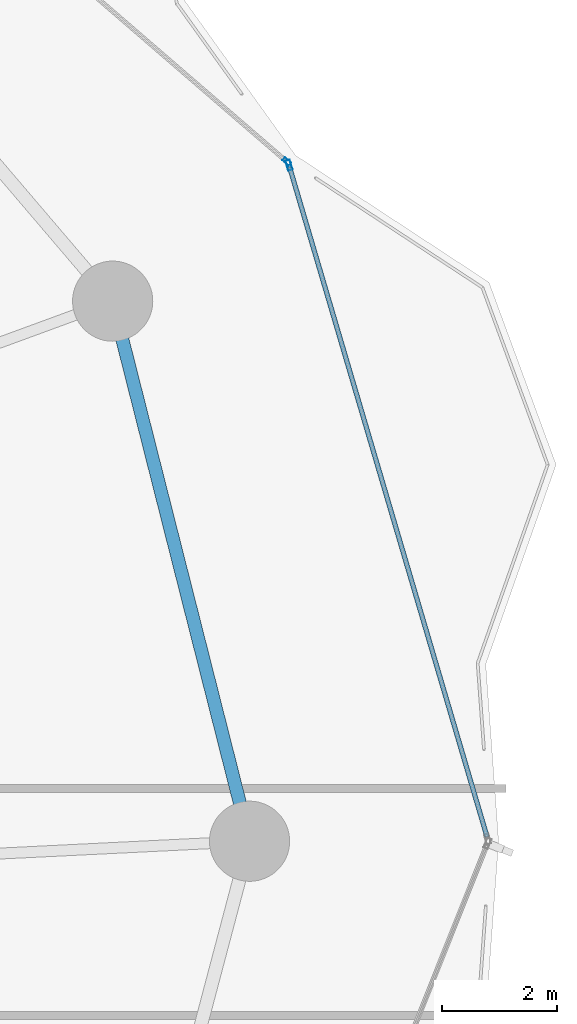
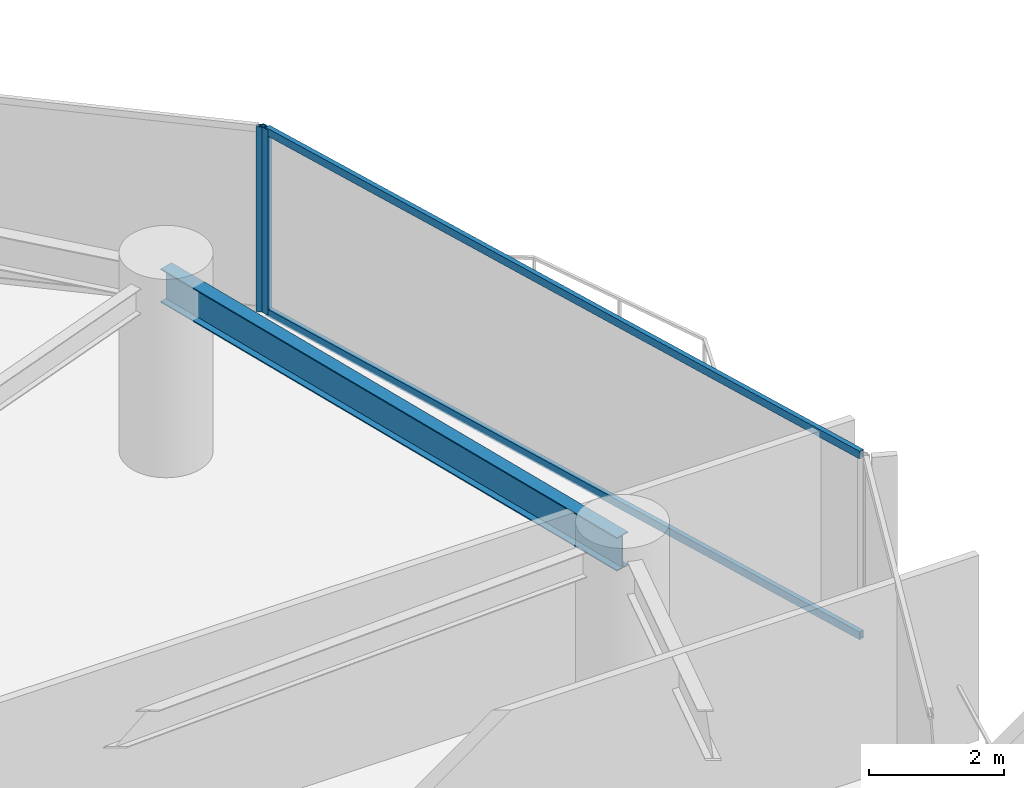
# One storey, part 23 of 32: 4 members, 1 beam, 2 elements without a shape of their own.
"""IFC4 building model written with IfcOpenShell, lengths in metres."""

import ifcopenshell
import ifcopenshell.guid

model = None  # the IFC model being written
_history = None  # IfcOwnerHistory: only IFC2X3 demands one
_inside = {}  # id of a spatial element -> (the spatial element, [elements in it])
_under = {}  # id of a project, library or spatial element -> (it, [spatial elements below it])
_declared = {}  # id of a project -> (the project, [libraries it declares])
_typed = {}  # id of a type object -> (the type object, [elements of that type])
_made_of = {}  # id of a material, layer set ... -> (it, [elements and type objects made of it])


def new_model(schema):
    """Start an empty IFC model of exactly this schema.

    Asked for "IFC4X3", IfcOpenShell would pick the latest addendum, in which some entities
    have other attributes; the version numbers below select the first issue.
    IFC2X3 requires an IfcOwnerHistory on every rooted entity: one is made here for all.
    """
    global model, _history
    if schema == "IFC4X3":
        model = ifcopenshell.file(schema_version=(4, 3, 0, 0))
    else:
        model = ifcopenshell.file(schema=schema)
    _inside.clear()
    _under.clear()
    _declared.clear()
    _typed.clear()
    _made_of.clear()
    _history = None
    if model.schema == "IFC2X3":
        org = make("IfcOrganization", Name="unknown")
        user = make(
            "IfcPersonAndOrganization",
            ThePerson=make("IfcPerson", FamilyName="unknown"),
            TheOrganization=org,
        )
        app = make(
            "IfcApplication",
            ApplicationDeveloper=org,
            Version="unknown",
            ApplicationFullName="unknown",
            ApplicationIdentifier="unknown",
        )
        _history = make(
            "IfcOwnerHistory",
            OwningUser=user,
            OwningApplication=app,
            ChangeAction="ADDED",
            CreationDate=0,
        )
    return model


def make(cls, **values):
    """One entity of the class cls with the attributes given. An attribute that is None is left unset."""
    return model.create_entity(
        cls, **{name: value for name, value in values.items() if value is not None}
    )


def rooted(cls, **values):
    """An entity with a GlobalId (a new one), such as an element, a storey or a relation."""
    return make(cls, GlobalId=ifcopenshell.guid.new(), OwnerHistory=_history, **values)


def si_unit(unit_type, name, prefix=None):
    """IfcSIUnit, for example si_unit("LENGTHUNIT", "METRE", prefix="MILLI")."""
    return make("IfcSIUnit", UnitType=unit_type, Prefix=prefix, Name=name)


def assignment(units):
    """IfcUnitAssignment: the units of a project."""
    return None if units is None else make("IfcUnitAssignment", Units=units)


def point(xyz):
    """IfcCartesianPoint."""
    return None if xyz is None else make("IfcCartesianPoint", Coordinates=xyz)


def direction(xyz):
    """IfcDirection."""
    return None if xyz is None else make("IfcDirection", DirectionRatios=xyz)


def frame(location, z_axis=None, x_axis=None):
    """IfcAxis2Placement3D, a coordinate frame: its origin and axes. An axis left out is left unset."""
    return make(
        "IfcAxis2Placement3D",
        Location=point(location),
        Axis=direction(z_axis),
        RefDirection=direction(x_axis),
    )


def frame_2d(location, x_axis=None):
    """IfcAxis2Placement2D, a coordinate frame in the plane: its origin and x axis."""
    return make(
        "IfcAxis2Placement2D", Location=point(location), RefDirection=direction(x_axis)
    )


def origin():
    """The frame at (0, 0, 0) with its axes left unset."""
    return frame((0.0, 0.0, 0.0))


def origin_2d():
    """The frame at (0, 0) in the plane with its x axis left unset."""
    return frame_2d((0.0, 0.0))


def place(relative_to, where):
    """IfcLocalPlacement: puts the frame where relative to a parent placement (None: the world)."""
    return make(
        "IfcLocalPlacement", PlacementRelTo=relative_to, RelativePlacement=where
    )


def context(
    kind, dimensions, precision=None, world=None, true_north=None, identifier=None
):
    """IfcGeometricRepresentationContext, for example the 3D "Model" context."""
    return make(
        "IfcGeometricRepresentationContext",
        ContextIdentifier=identifier,
        ContextType=kind,
        CoordinateSpaceDimension=dimensions,
        Precision=precision,
        WorldCoordinateSystem=world,
        TrueNorth=true_north,
    )


def subcontext(parent, identifier, kind, view, scale=None):
    """IfcGeometricRepresentationSubContext, for example "Body" below "Model"."""
    return make(
        "IfcGeometricRepresentationSubContext",
        ContextIdentifier=identifier,
        ContextType=kind,
        ParentContext=parent,
        TargetScale=scale,
        TargetView=view,
    )


def project(units=None, contexts=None):
    """IfcProject with its units and contexts."""
    return rooted(
        "IfcProject",
        Name="project",
        RepresentationContexts=contexts,
        UnitsInContext=assignment(units),
    )


def spatial(cls, under=None, at=None, **own):
    """A site, building, storey or space (cls), placed at a placement, below another one or the project."""
    s = rooted(cls, ObjectPlacement=at, **own)
    if under is not None:
        _under.setdefault(under.id(), (under, []))[1].append(s)
    return s


def profile(cls, at=None, kind="AREA", **sizes):
    """A parametric profile (cls). Its sizes go by their IFC names, for example OverallWidth=200.0."""
    return make(cls, ProfileType=kind, Position=at, **sizes)


def hollow_rectangle(**sizes):
    """IfcRectangleHollowProfileDef."""
    return profile("IfcRectangleHollowProfileDef", **sizes)


def i_section(**sizes):
    """IfcIShapeProfileDef."""
    return profile("IfcIShapeProfileDef", **sizes)


def extrude(swept, where, along, depth):
    """IfcExtrudedAreaSolid: the profile swept, set in the frame where, extruded along a direction by depth."""
    return make(
        "IfcExtrudedAreaSolid",
        SweptArea=swept,
        Position=where,
        ExtrudedDirection=direction(along),
        Depth=depth,
    )


def shape(context_of_items, identifier, shape_type, items):
    """IfcShapeRepresentation: the items that make up one representation, for example the "Body"."""
    return make(
        "IfcShapeRepresentation",
        ContextOfItems=context_of_items,
        RepresentationIdentifier=identifier,
        RepresentationType=shape_type,
        Items=items,
    )


def material(Name=None, Category=None):
    """IfcMaterial."""
    return make("IfcMaterial", Name=Name, Category=Category)


def layer(
    of_material, thickness, ventilated=None, Name=None, Category=None, Priority=None
):
    """IfcMaterialLayer: one layer of a wall or slab, of a material (None: an air gap)."""
    return make(
        "IfcMaterialLayer",
        Material=of_material,
        LayerThickness=thickness,
        IsVentilated=ventilated,
        Name=Name,
        Category=Category,
        Priority=Priority,
    )


def layer_set(layers, Name=None):
    """IfcMaterialLayerSet."""
    return make("IfcMaterialLayerSet", MaterialLayers=layers, LayerSetName=Name)


def material_profile(
    of_material, cross_section, Name=None, Category=None, Priority=None
):
    """IfcMaterialProfile: a cross section and its material."""
    return make(
        "IfcMaterialProfile",
        Name=Name,
        Material=of_material,
        Profile=cross_section,
        Priority=Priority,
        Category=Category,
    )


def profile_set(profiles, Name=None, composite=None):
    """IfcMaterialProfileSet."""
    return make(
        "IfcMaterialProfileSet",
        Name=Name,
        MaterialProfiles=profiles,
        CompositeProfile=composite,
    )


def made_of(thing, what):
    """Note that an element or type object is made of a material, layer set ...; save() writes the relation."""
    if what is not None:
        _made_of.setdefault(what.id(), (what, []))[1].append(thing)
    return thing


def type_object(cls, material=None, **own):
    """A type object (cls), such as IfcWallType, which elements share."""
    return made_of(rooted(cls, **own), material)


def element(
    cls,
    number,
    at=None,
    inside=None,
    cuts=None,
    type_object=None,
    material=None,
    context=None,
    identifier="Body",
    shape_type=None,
    held_by="IfcProductDefinitionShape",
    body=None,
    shapes=None,
    **own,
):
    """One element of the class cls, such as IfcWall. Its Tag is "e" and its number.

    at: its placement. inside: the storey or other place that contains it. cuts: it is an
    opening in that element (IfcRelVoidsElement). A single representation is given by context,
    identifier, shape_type and body (its items); several are given by shapes. held_by: the class
    of the entity that holds the representations. save() writes the other relations.
    """
    e = rooted(cls, Tag="e%d" % number, ObjectPlacement=at, **own)
    if body is not None:
        shapes = [shape(context, identifier, shape_type, body)]
    if shapes is not None:
        e.Representation = make(held_by, Representations=shapes)
    if inside is not None:
        _inside.setdefault(inside.id(), (inside, []))[1].append(e)
    if cuts is not None:
        rooted(
            "IfcRelVoidsElement", RelatingBuildingElement=cuts, RelatedOpeningElement=e
        )
    if type_object is not None:
        _typed.setdefault(type_object.id(), (type_object, []))[1].append(e)
    return made_of(e, material)


def aggregate(whole, parts):
    """IfcRelAggregates: a whole, such as a stair, and the parts it consists of."""
    return rooted("IfcRelAggregates", RelatingObject=whole, RelatedObjects=parts)


def save(model, path):
    """Write the relations noted so far, then the file.

    IfcRelAggregates (storeys below a building ...), IfcRelContainedInSpatialStructure (elements
    in a storey), IfcRelDefinesByType, IfcRelAssociatesMaterial and IfcRelDeclares: one each for
    every whole, place, type object, material and project.
    """
    for whole, parts in _under.values():
        aggregate(whole, parts)
    for where, things in _inside.values():
        rooted(
            "IfcRelContainedInSpatialStructure",
            RelatedElements=things,
            RelatingStructure=where,
        )
    for kind, things in _typed.values():
        rooted("IfcRelDefinesByType", RelatedObjects=things, RelatingType=kind)
    for what, things in _made_of.values():
        rooted("IfcRelAssociatesMaterial", RelatedObjects=things, RelatingMaterial=what)
    for by, libraries in _declared.values():
        rooted("IfcRelDeclares", RelatingContext=by, RelatedDefinitions=libraries)
    model.write(path)


model = new_model("IFC4")

# Units and contexts
model_context = context("Model", 3, precision=1e-05, world=origin(), true_north=direction((0.0, 1.0)))
body_context = subcontext(model_context, "Body", "Model", "MODEL_VIEW")
ifc_project = project(units=[si_unit("LENGTHUNIT", "METRE"), si_unit("AREAUNIT", "SQUARE_METRE"), si_unit("VOLUMEUNIT", "CUBIC_METRE"), si_unit("PLANEANGLEUNIT", "RADIAN"), si_unit("MASSUNIT", "GRAM", prefix="KILO")], contexts=[model_context])

# Site, building, storey
site_placement = place(None, origin())
site = spatial("IfcSite", under=ifc_project, at=site_placement, CompositionType="ELEMENT")
building_placement = place(site_placement, origin())
building = spatial("IfcBuilding", under=site, at=building_placement, Name="Kazevale Care Tower and Concert Hall", CompositionType="ELEMENT")
storey_placement = place(building_placement, frame((0.0, 0.0, 24.0)))
storey = spatial("IfcBuildingStorey", under=building, at=storey_placement, Name="L05", CompositionType="ELEMENT", Elevation=24.0)

# Curtain wall, member
ifc_material_1 = material(Name="Aluminium 6063-T6 and Low-E Glass", Category="aluminium")
ifc_layer_1 = layer(ifc_material_1, 0.179931640625)
ifc_layer_set_1 = layer_set([ifc_layer_1], Name="Aluminium 6063-T6 and Low-E Glass")
curtain_wall_type_1 = type_object("IfcCurtainWallType", Name="Convex Recessed Sunroom Curtain Wall CW-3", PredefinedType="NOTDEFINED", material=ifc_layer_set_1)
curtain_wall_1_placement = place(storey_placement, origin())
curtain_wall_1 = element("IfcCurtainWall", 1, at=curtain_wall_1_placement, inside=storey, type_object=curtain_wall_type_1, Name="cw:L05:f17", PredefinedType="NOTDEFINED")
ifc_material_2 = material(Name="Aluminium 6063-T6", Category="aluminium")
ifc_material_profile_1 = material_profile(ifc_material_2, hollow_rectangle(XDim=0.074951171875, YDim=0.14990234375, WallThickness=0.00390625, at=origin_2d()), Name="ALU75x150x4")
ifc_profile_set_1 = profile_set([ifc_material_profile_1], Name="Aluminium 6063-T6")
member_type_1 = type_object("IfcMemberType", Name="CW-3 Mullion ALU75x150x4", PredefinedType="MULLION", material=ifc_profile_set_1)
member_1_placement = place(storey_placement, frame((77.099609375, 49.867431640625, 0.0), z_axis=(0.0, 0.0, 1.0), x_axis=(0.653183596561, 0.757199570248, 0.0)))
member_1 = element("IfcMember", 2, at=member_1_placement, type_object=member_type_1, Name="CW-3 mullion 2", PredefinedType="MULLION", context=body_context, shape_type="SweptSolid", body=[
    extrude(hollow_rectangle(XDim=0.074951171875, YDim=0.14990234375, WallThickness=0.00390625, at=origin_2d()), origin(), (0.0, 0.0, 1.0), 3.360107421875),
])
aggregate(curtain_wall_1, [member_1])

# Curtain wall, members
ifc_layer_2 = layer(ifc_material_1, 0.179931640625)
ifc_layer_set_2 = layer_set([ifc_layer_2], Name="Aluminium 6063-T6 and Low-E Glass")
curtain_wall_type_2 = type_object("IfcCurtainWallType", Name="Waist & Upper Residential Curtain Wall CW-4", PredefinedType="NOTDEFINED", material=ifc_layer_set_2)
curtain_wall_2_placement = place(storey_placement, origin())
curtain_wall_2 = element("IfcCurtainWall", 3, at=curtain_wall_2_placement, inside=storey, type_object=curtain_wall_type_2, Name="cw:L05:f18", PredefinedType="NOTDEFINED")
ifc_material_profile_2 = material_profile(ifc_material_2, hollow_rectangle(XDim=0.080078125, YDim=0.179931640625, WallThickness=0.0048828125, at=origin_2d()), Name="ALU80x180x5")
ifc_profile_set_2 = profile_set([ifc_material_profile_2], Name="Aluminium 6063-T6")
member_type_2 = type_object("IfcMemberType", Name="CW-4 Mullion ALU80x180x5", PredefinedType="MULLION", material=ifc_profile_set_2)
member_2_placement = place(storey_placement, frame((77.139404296875, 49.8046875, 0.0), z_axis=(0.0, 0.0, 1.0), x_axis=(0.959173119586, 0.282819600918, 0.0)))
member_2 = element("IfcMember", 4, at=member_2_placement, type_object=member_type_2, Name="CW-4 mullion 1", PredefinedType="MULLION", context=body_context, shape_type="SweptSolid", body=[
    extrude(hollow_rectangle(XDim=0.080078125, YDim=0.179931640625, WallThickness=0.0048828125, at=origin_2d()), origin(), (0.0, 0.0, 1.0), 3.360107421875),
])
ifc_material_profile_3 = material_profile(ifc_material_2, hollow_rectangle(XDim=0.080078125, YDim=0.139892578125, WallThickness=0.00390625, at=origin_2d()), Name="ALU80x140x4")
ifc_profile_set_3 = profile_set([ifc_material_profile_3], Name="Aluminium 6063-T6")
member_type_3 = type_object("IfcMemberType", Name="CW-4 Transom ALU80x140x4", PredefinedType="USERDEFINED", material=ifc_profile_set_3)
member_3_placement = place(storey_placement, frame((77.150634765625, 49.766357421875, 0.0400390625), z_axis=(0.282818078945, -0.95917356835, 0.0), x_axis=(0.95917356835, 0.282818078945, 0.0)))
member_3 = element("IfcMember", 5, at=member_3_placement, type_object=member_type_3, Name="CW-4 transom 1.1", ObjectType="TRANSOM", PredefinedType="USERDEFINED", context=body_context, shape_type="SweptSolid", body=[
    extrude(hollow_rectangle(XDim=0.080078125, YDim=0.139892578125, WallThickness=0.00390625, at=origin_2d()), origin(), (0.0, 0.0, 1.0), 12.187255859375),
])
member_4_placement = place(storey_placement, frame((77.150634765625, 49.766357421875, 3.320068359375), z_axis=(0.282818078945, -0.95917356835, 0.0), x_axis=(0.95917356835, 0.282818078945, 0.0)))
member_4 = element("IfcMember", 6, at=member_4_placement, type_object=member_type_3, Name="CW-4 transom 1.2", ObjectType="TRANSOM", PredefinedType="USERDEFINED", context=body_context, shape_type="SweptSolid", body=[
    extrude(hollow_rectangle(XDim=0.080078125, YDim=0.139892578125, WallThickness=0.00390625, at=origin_2d()), origin(), (0.0, 0.0, 1.0), 12.187255859375),
])
aggregate(curtain_wall_2, [member_2, member_3, member_4])

# Beam
ifc_material_3 = material(Name="Steel ASTM A572 Gr 50", Category="steel")
ifc_material_profile_4 = material_profile(ifc_material_3, i_section(OverallWidth=0.22900390625, OverallDepth=0.612060546875, WebThickness=0.011962890625, FlangeThickness=0.01953125, at=origin_2d()), Name="W610x125")
ifc_profile_set_4 = profile_set([ifc_material_profile_4], Name="Steel ASTM A572 Gr 50")
beam_type = type_object("IfcBeamType", Name="Ring Spandrel Beam W610x125", PredefinedType="SPANDREL", material=ifc_profile_set_4)
beam_placement = place(storey_placement, frame((76.449951171875, 38.0, 3.053955078125), z_axis=(-0.245669948409, 0.969353535326, 0.0), x_axis=(-0.969353535326, -0.245669948409, 0.0)))
element("IfcBeam", 7, at=beam_placement, inside=storey, type_object=beam_type, Name="beam:L05:ring:01", PredefinedType="SPANDREL", context=body_context, shape_type="SweptSolid", body=[
    extrude(i_section(OverallWidth=0.22900390625, OverallDepth=0.612060546875, WebThickness=0.011962890625, FlangeThickness=0.01953125, at=origin_2d()), origin(), (0.0, 0.0, 1.0), 9.72802734375),
])

save(model, "model.ifc")
